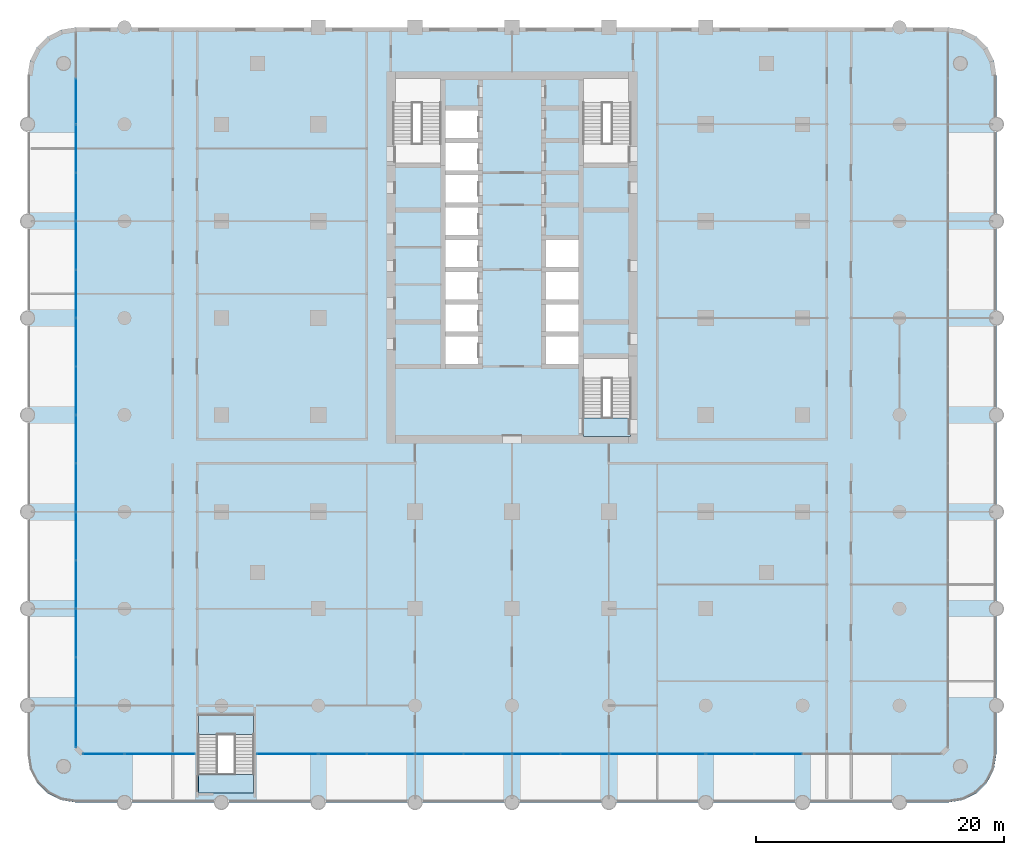
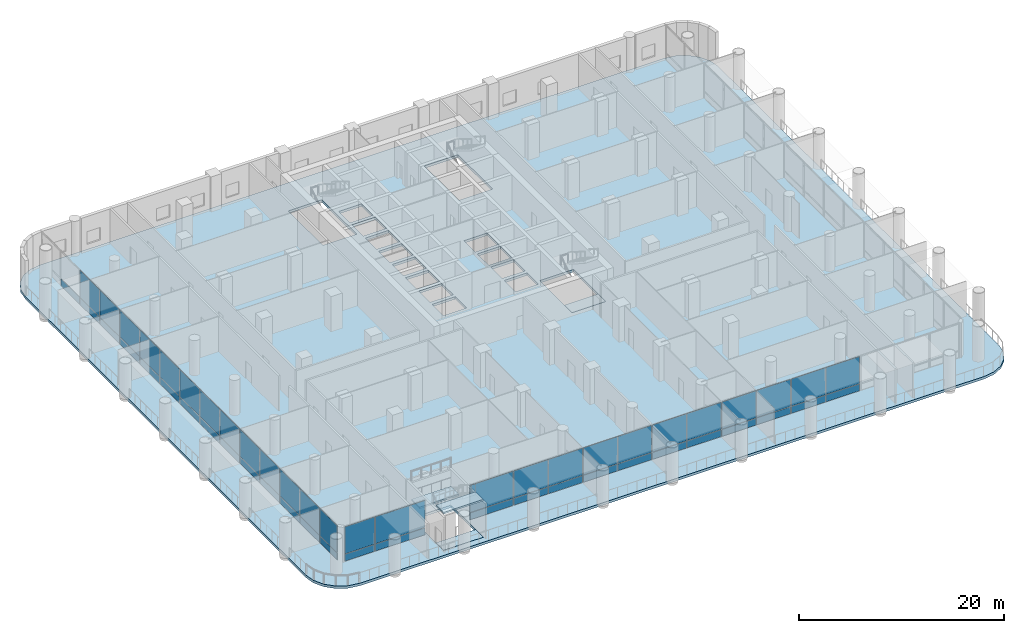
# One storey, part 8 of 24: 53 plates, 5 slabs, 18 elements without a shape of their own.
"""IFC4 building model written with IfcOpenShell, lengths in metres."""

from ifc_helpers import new_model, si_unit, direction, frame, origin, origin_2d, place, context, subcontext, project, spatial, polyline, rectangle, outline, extrude, material, layer, layer_set, type_object, element, aggregate, save


model = new_model("IFC4")

# Units and contexts
model_context = context("Model", 3, precision=1e-05, world=origin(), true_north=direction((0.0, 1.0)))
body_context = subcontext(model_context, "Body", "Model", "MODEL_VIEW")
ifc_project = project(units=[si_unit("LENGTHUNIT", "METRE"), si_unit("AREAUNIT", "SQUARE_METRE"), si_unit("VOLUMEUNIT", "CUBIC_METRE"), si_unit("PLANEANGLEUNIT", "RADIAN"), si_unit("MASSUNIT", "GRAM", prefix="KILO")], contexts=[model_context])

# Site, building, storey
site_placement = place(None, origin())
site = spatial("IfcSite", under=ifc_project, at=site_placement, CompositionType="ELEMENT")
building_placement = place(site_placement, origin())
building = spatial("IfcBuilding", under=site, at=building_placement, Name="Ludao Terraces", CompositionType="ELEMENT")
storey_placement = place(building_placement, frame((0.0, 0.0, 6.0)))
storey = spatial("IfcBuildingStorey", under=building, at=storey_placement, Name="L01", CompositionType="ELEMENT", Elevation=6.0)

# Curtain wall, plates
ifc_material_1 = material(Name="Aluminium curtain wall with fritted glass", Category="aluminium")
curtain_wall_type = type_object("IfcCurtainWallType", Name="ENV CW1 podium glazing", PredefinedType="NOTDEFINED", material=ifc_material_1)
curtain_wall_1_placement = place(storey_placement, origin())
curtain_wall_1 = element("IfcCurtainWall", 1, at=curtain_wall_1_placement, inside=storey, type_object=curtain_wall_type, Name="CW-L01-S1", PredefinedType="NOTDEFINED")
ifc_material_2 = material(Name="Fritted glass panel", Category="glass")
ifc_layer_1 = layer(ifc_material_2, 0.028076171875)
ifc_layer_set_1 = layer_set([ifc_layer_1], Name="ENV CW1 glass panel")
plate_type = type_object("IfcPlateType", Name="ENV CW1 glass panel", PredefinedType="CURTAIN_PANEL", material=ifc_layer_set_1)
plate_1_placement = place(storey_placement, frame((52.10009765625, 29.89990234375, 0.06005859375), z_axis=(0.0, 0.0, 1.0), x_axis=(1.0, 0.0, 0.0)))
plate_1 = element("IfcPlate", 2, at=plate_1_placement, type_object=plate_type, Name="CW1 panel 1.1", PredefinedType="CURTAIN_PANEL", context=body_context, shape_type="SweptSolid", body=[
    extrude(rectangle(XDim=3.280029296875, YDim=0.028076171875, at=origin_2d()), origin(), (0.0, 0.0, 1.0), 0.81005859375),
])
plate_2_placement = place(storey_placement, frame((52.10009765625, 29.89990234375, 0.929931640625), z_axis=(0.0, 0.0, 1.0), x_axis=(1.0, 0.0, 0.0)))
plate_2 = element("IfcPlate", 3, at=plate_2_placement, type_object=plate_type, Name="CW1 panel 1.2", PredefinedType="CURTAIN_PANEL", context=body_context, shape_type="SweptSolid", body=[
    extrude(rectangle(XDim=3.280029296875, YDim=0.028076171875, at=origin_2d()), origin(), (0.0, 0.0, 1.0), 3.2099609375),
])
aggregate(curtain_wall_1, [plate_1, plate_2])

curtain_wall_2_placement = place(storey_placement, origin())
curtain_wall_2 = element("IfcCurtainWall", 4, at=curtain_wall_2_placement, inside=storey, type_object=curtain_wall_type, Name="CW-L01-S2", PredefinedType="NOTDEFINED")
plate_3_placement = place(storey_placement, frame((56.6650390625, 29.89990234375, 0.06005859375), z_axis=(0.0, 0.0, 1.0), x_axis=(1.0, 0.0, 0.0)))
plate_3 = element("IfcPlate", 5, at=plate_3_placement, type_object=plate_type, Name="CW1 panel 1.1", PredefinedType="CURTAIN_PANEL", context=body_context, shape_type="SweptSolid", body=[
    extrude(rectangle(XDim=5.610107421875, YDim=0.028076171875, at=origin_2d()), origin(), (0.0, 0.0, 1.0), 0.81005859375),
])
plate_4_placement = place(storey_placement, frame((56.6650390625, 29.89990234375, 0.929931640625), z_axis=(0.0, 0.0, 1.0), x_axis=(1.0, 0.0, 0.0)))
plate_4 = element("IfcPlate", 6, at=plate_4_placement, type_object=plate_type, Name="CW1 panel 1.2", PredefinedType="CURTAIN_PANEL", context=body_context, shape_type="SweptSolid", body=[
    extrude(rectangle(XDim=5.610107421875, YDim=0.028076171875, at=origin_2d()), origin(), (0.0, 0.0, 1.0), 3.2099609375),
])
aggregate(curtain_wall_2, [plate_3, plate_4])

curtain_wall_3_placement = place(storey_placement, origin())
curtain_wall_3 = element("IfcCurtainWall", 7, at=curtain_wall_3_placement, inside=storey, type_object=curtain_wall_type, Name="CW-L01-S3", PredefinedType="NOTDEFINED")
plate_5_placement = place(storey_placement, frame((66.909912109375, 29.89990234375, 0.06005859375), z_axis=(0.0, 0.0, 1.0), x_axis=(1.0, 0.0, 0.0)))
plate_5 = element("IfcPlate", 8, at=plate_5_placement, type_object=plate_type, Name="CW1 panel 1.1", PredefinedType="CURTAIN_PANEL", context=body_context, shape_type="SweptSolid", body=[
    extrude(rectangle(XDim=4.860107421875, YDim=0.028076171875, at=origin_2d()), origin(), (0.0, 0.0, 1.0), 0.81005859375),
])
plate_6_placement = place(storey_placement, frame((66.909912109375, 29.89990234375, 0.929931640625), z_axis=(0.0, 0.0, 1.0), x_axis=(1.0, 0.0, 0.0)))
plate_6 = element("IfcPlate", 9, at=plate_6_placement, type_object=plate_type, Name="CW1 panel 1.2", PredefinedType="CURTAIN_PANEL", context=body_context, shape_type="SweptSolid", body=[
    extrude(rectangle(XDim=4.860107421875, YDim=0.028076171875, at=origin_2d()), origin(), (0.0, 0.0, 1.0), 3.2099609375),
])
aggregate(curtain_wall_3, [plate_5, plate_6])

curtain_wall_4_placement = place(storey_placement, origin())
curtain_wall_4 = element("IfcCurtainWall", 10, at=curtain_wall_4_placement, inside=storey, type_object=curtain_wall_type, Name="CW-L01-S4", PredefinedType="NOTDEFINED")
plate_7_placement = place(storey_placement, frame((71.364990234375, 29.89990234375, 0.06005859375), z_axis=(0.0, 0.0, 1.0), x_axis=(1.0, 0.0, 0.0)))
plate_7 = element("IfcPlate", 11, at=plate_7_placement, type_object=plate_type, Name="CW1 panel 1.1", PredefinedType="CURTAIN_PANEL", context=body_context, shape_type="SweptSolid", body=[
    extrude(rectangle(XDim=3.81005859375, YDim=0.028076171875, at=origin_2d()), origin(), (0.0, 0.0, 1.0), 0.81005859375),
])
plate_8_placement = place(storey_placement, frame((71.364990234375, 29.89990234375, 0.929931640625), z_axis=(0.0, 0.0, 1.0), x_axis=(1.0, 0.0, 0.0)))
plate_8 = element("IfcPlate", 12, at=plate_8_placement, type_object=plate_type, Name="CW1 panel 1.2", PredefinedType="CURTAIN_PANEL", context=body_context, shape_type="SweptSolid", body=[
    extrude(rectangle(XDim=3.81005859375, YDim=0.028076171875, at=origin_2d()), origin(), (0.0, 0.0, 1.0), 3.2099609375),
])
plate_9_placement = place(storey_placement, frame((75.235107421875, 29.89990234375, 0.06005859375), z_axis=(0.0, 0.0, 1.0), x_axis=(1.0, 0.0, 0.0)))
plate_9 = element("IfcPlate", 13, at=plate_9_placement, type_object=plate_type, Name="CW1 panel 2.1", PredefinedType="CURTAIN_PANEL", context=body_context, shape_type="SweptSolid", body=[
    extrude(rectangle(XDim=3.81005859375, YDim=0.028076171875, at=origin_2d()), origin(), (0.0, 0.0, 1.0), 0.81005859375),
])
plate_10_placement = place(storey_placement, frame((75.235107421875, 29.89990234375, 0.929931640625), z_axis=(0.0, 0.0, 1.0), x_axis=(1.0, 0.0, 0.0)))
plate_10 = element("IfcPlate", 14, at=plate_10_placement, type_object=plate_type, Name="CW1 panel 2.2", PredefinedType="CURTAIN_PANEL", context=body_context, shape_type="SweptSolid", body=[
    extrude(rectangle(XDim=3.81005859375, YDim=0.028076171875, at=origin_2d()), origin(), (0.0, 0.0, 1.0), 3.2099609375),
])
aggregate(curtain_wall_4, [plate_7, plate_8, plate_9, plate_10])

curtain_wall_5_placement = place(storey_placement, origin())
curtain_wall_5 = element("IfcCurtainWall", 15, at=curtain_wall_5_placement, inside=storey, type_object=curtain_wall_type, Name="CW-L01-S5", PredefinedType="NOTDEFINED")
plate_11_placement = place(storey_placement, frame((79.1650390625, 29.89990234375, 0.06005859375), z_axis=(0.0, 0.0, 1.0), x_axis=(1.0, 0.0, 0.0)))
plate_11 = element("IfcPlate", 16, at=plate_11_placement, type_object=plate_type, Name="CW1 panel 1.1", PredefinedType="CURTAIN_PANEL", context=body_context, shape_type="SweptSolid", body=[
    extrude(rectangle(XDim=3.81005859375, YDim=0.028076171875, at=origin_2d()), origin(), (0.0, 0.0, 1.0), 0.81005859375),
])
plate_12_placement = place(storey_placement, frame((79.1650390625, 29.89990234375, 0.929931640625), z_axis=(0.0, 0.0, 1.0), x_axis=(1.0, 0.0, 0.0)))
plate_12 = element("IfcPlate", 17, at=plate_12_placement, type_object=plate_type, Name="CW1 panel 1.2", PredefinedType="CURTAIN_PANEL", context=body_context, shape_type="SweptSolid", body=[
    extrude(rectangle(XDim=3.81005859375, YDim=0.028076171875, at=origin_2d()), origin(), (0.0, 0.0, 1.0), 3.2099609375),
])
plate_13_placement = place(storey_placement, frame((83.034912109375, 29.89990234375, 0.06005859375), z_axis=(0.0, 0.0, 1.0), x_axis=(1.0, 0.0, 0.0)))
plate_13 = element("IfcPlate", 18, at=plate_13_placement, type_object=plate_type, Name="CW1 panel 2.1", PredefinedType="CURTAIN_PANEL", context=body_context, shape_type="SweptSolid", body=[
    extrude(rectangle(XDim=3.81005859375, YDim=0.028076171875, at=origin_2d()), origin(), (0.0, 0.0, 1.0), 0.81005859375),
])
plate_14_placement = place(storey_placement, frame((83.034912109375, 29.89990234375, 0.929931640625), z_axis=(0.0, 0.0, 1.0), x_axis=(1.0, 0.0, 0.0)))
plate_14 = element("IfcPlate", 19, at=plate_14_placement, type_object=plate_type, Name="CW1 panel 2.2", PredefinedType="CURTAIN_PANEL", context=body_context, shape_type="SweptSolid", body=[
    extrude(rectangle(XDim=3.81005859375, YDim=0.028076171875, at=origin_2d()), origin(), (0.0, 0.0, 1.0), 3.2099609375),
])
aggregate(curtain_wall_5, [plate_11, plate_12, plate_13, plate_14])

curtain_wall_6_placement = place(storey_placement, origin())
curtain_wall_6 = element("IfcCurtainWall", 20, at=curtain_wall_6_placement, inside=storey, type_object=curtain_wall_type, Name="CW-L01-S6", PredefinedType="NOTDEFINED")
plate_15_placement = place(storey_placement, frame((86.965087890625, 29.89990234375, 0.06005859375), z_axis=(0.0, 0.0, 1.0), x_axis=(1.0, 0.0, 0.0)))
plate_15 = element("IfcPlate", 21, at=plate_15_placement, type_object=plate_type, Name="CW1 panel 1.1", PredefinedType="CURTAIN_PANEL", context=body_context, shape_type="SweptSolid", body=[
    extrude(rectangle(XDim=3.81005859375, YDim=0.028076171875, at=origin_2d()), origin(), (0.0, 0.0, 1.0), 0.81005859375),
])
plate_16_placement = place(storey_placement, frame((86.965087890625, 29.89990234375, 0.929931640625), z_axis=(0.0, 0.0, 1.0), x_axis=(1.0, 0.0, 0.0)))
plate_16 = element("IfcPlate", 22, at=plate_16_placement, type_object=plate_type, Name="CW1 panel 1.2", PredefinedType="CURTAIN_PANEL", context=body_context, shape_type="SweptSolid", body=[
    extrude(rectangle(XDim=3.81005859375, YDim=0.028076171875, at=origin_2d()), origin(), (0.0, 0.0, 1.0), 3.2099609375),
])
plate_17_placement = place(storey_placement, frame((90.8349609375, 29.89990234375, 0.06005859375), z_axis=(0.0, 0.0, 1.0), x_axis=(1.0, 0.0, 0.0)))
plate_17 = element("IfcPlate", 23, at=plate_17_placement, type_object=plate_type, Name="CW1 panel 2.1", PredefinedType="CURTAIN_PANEL", context=body_context, shape_type="SweptSolid", body=[
    extrude(rectangle(XDim=3.81005859375, YDim=0.028076171875, at=origin_2d()), origin(), (0.0, 0.0, 1.0), 0.81005859375),
])
plate_18_placement = place(storey_placement, frame((90.8349609375, 29.89990234375, 0.929931640625), z_axis=(0.0, 0.0, 1.0), x_axis=(1.0, 0.0, 0.0)))
plate_18 = element("IfcPlate", 24, at=plate_18_placement, type_object=plate_type, Name="CW1 panel 2.2", PredefinedType="CURTAIN_PANEL", context=body_context, shape_type="SweptSolid", body=[
    extrude(rectangle(XDim=3.81005859375, YDim=0.028076171875, at=origin_2d()), origin(), (0.0, 0.0, 1.0), 3.2099609375),
])
aggregate(curtain_wall_6, [plate_15, plate_16, plate_17, plate_18])

curtain_wall_7_placement = place(storey_placement, origin())
curtain_wall_7 = element("IfcCurtainWall", 25, at=curtain_wall_7_placement, inside=storey, type_object=curtain_wall_type, Name="CW-L01-S7", PredefinedType="NOTDEFINED")
plate_19_placement = place(storey_placement, frame((94.764892578125, 29.89990234375, 0.06005859375), z_axis=(0.0, 0.0, 1.0), x_axis=(1.0, 0.0, 0.0)))
plate_19 = element("IfcPlate", 26, at=plate_19_placement, type_object=plate_type, Name="CW1 panel 1.1", PredefinedType="CURTAIN_PANEL", context=body_context, shape_type="SweptSolid", body=[
    extrude(rectangle(XDim=3.81005859375, YDim=0.028076171875, at=origin_2d()), origin(), (0.0, 0.0, 1.0), 0.81005859375),
])
plate_20_placement = place(storey_placement, frame((94.764892578125, 29.89990234375, 0.929931640625), z_axis=(0.0, 0.0, 1.0), x_axis=(1.0, 0.0, 0.0)))
plate_20 = element("IfcPlate", 27, at=plate_20_placement, type_object=plate_type, Name="CW1 panel 1.2", PredefinedType="CURTAIN_PANEL", context=body_context, shape_type="SweptSolid", body=[
    extrude(rectangle(XDim=3.81005859375, YDim=0.028076171875, at=origin_2d()), origin(), (0.0, 0.0, 1.0), 3.2099609375),
])
plate_21_placement = place(storey_placement, frame((98.635009765625, 29.89990234375, 0.06005859375), z_axis=(0.0, 0.0, 1.0), x_axis=(1.0, 0.0, 0.0)))
plate_21 = element("IfcPlate", 28, at=plate_21_placement, type_object=plate_type, Name="CW1 panel 2.1", PredefinedType="CURTAIN_PANEL", context=body_context, shape_type="SweptSolid", body=[
    extrude(rectangle(XDim=3.81005859375, YDim=0.028076171875, at=origin_2d()), origin(), (0.0, 0.0, 1.0), 0.81005859375),
])
plate_22_placement = place(storey_placement, frame((98.635009765625, 29.89990234375, 0.929931640625), z_axis=(0.0, 0.0, 1.0), x_axis=(1.0, 0.0, 0.0)))
plate_22 = element("IfcPlate", 29, at=plate_22_placement, type_object=plate_type, Name="CW1 panel 2.2", PredefinedType="CURTAIN_PANEL", context=body_context, shape_type="SweptSolid", body=[
    extrude(rectangle(XDim=3.81005859375, YDim=0.028076171875, at=origin_2d()), origin(), (0.0, 0.0, 1.0), 3.2099609375),
])
aggregate(curtain_wall_7, [plate_19, plate_20, plate_21, plate_22])

curtain_wall_8_placement = place(storey_placement, origin())
curtain_wall_8 = element("IfcCurtainWall", 30, at=curtain_wall_8_placement, inside=storey, type_object=curtain_wall_type, Name="CW-L01-S8", PredefinedType="NOTDEFINED")
plate_23_placement = place(storey_placement, frame((102.56494140625, 29.89990234375, 0.06005859375), z_axis=(0.0, 0.0, 1.0), x_axis=(1.0, 0.0, 0.0)))
plate_23 = element("IfcPlate", 31, at=plate_23_placement, type_object=plate_type, Name="CW1 panel 1.1", PredefinedType="CURTAIN_PANEL", context=body_context, shape_type="SweptSolid", body=[
    extrude(rectangle(XDim=3.81005859375, YDim=0.028076171875, at=origin_2d()), origin(), (0.0, 0.0, 1.0), 0.81005859375),
])
plate_24_placement = place(storey_placement, frame((102.56494140625, 29.89990234375, 0.929931640625), z_axis=(0.0, 0.0, 1.0), x_axis=(1.0, 0.0, 0.0)))
plate_24 = element("IfcPlate", 32, at=plate_24_placement, type_object=plate_type, Name="CW1 panel 1.2", PredefinedType="CURTAIN_PANEL", context=body_context, shape_type="SweptSolid", body=[
    extrude(rectangle(XDim=3.81005859375, YDim=0.028076171875, at=origin_2d()), origin(), (0.0, 0.0, 1.0), 3.2099609375),
])
plate_25_placement = place(storey_placement, frame((106.43505859375, 29.89990234375, 0.06005859375), z_axis=(0.0, 0.0, 1.0), x_axis=(1.0, 0.0, 0.0)))
plate_25 = element("IfcPlate", 33, at=plate_25_placement, type_object=plate_type, Name="CW1 panel 2.1", PredefinedType="CURTAIN_PANEL", context=body_context, shape_type="SweptSolid", body=[
    extrude(rectangle(XDim=3.81005859375, YDim=0.028076171875, at=origin_2d()), origin(), (0.0, 0.0, 1.0), 0.81005859375),
])
plate_26_placement = place(storey_placement, frame((106.43505859375, 29.89990234375, 0.929931640625), z_axis=(0.0, 0.0, 1.0), x_axis=(1.0, 0.0, 0.0)))
plate_26 = element("IfcPlate", 34, at=plate_26_placement, type_object=plate_type, Name="CW1 panel 2.2", PredefinedType="CURTAIN_PANEL", context=body_context, shape_type="SweptSolid", body=[
    extrude(rectangle(XDim=3.81005859375, YDim=0.028076171875, at=origin_2d()), origin(), (0.0, 0.0, 1.0), 3.2099609375),
])
aggregate(curtain_wall_8, [plate_23, plate_24, plate_25, plate_26])

curtain_wall_9_placement = place(storey_placement, origin())
curtain_wall_9 = element("IfcCurtainWall", 35, at=curtain_wall_9_placement, inside=storey, type_object=curtain_wall_type, Name="CW-L01-W1", PredefinedType="NOTDEFINED")
plate_27_placement = place(storey_placement, frame((49.89990234375, 32.10009765625, 0.06005859375), z_axis=(0.0, 0.0, 1.0), x_axis=(0.0, 1.0, 0.0)))
plate_27 = element("IfcPlate", 36, at=plate_27_placement, type_object=plate_type, Name="CW1 panel 1.1", PredefinedType="CURTAIN_PANEL", context=body_context, shape_type="SweptSolid", body=[
    extrude(rectangle(XDim=3.280029296875, YDim=0.028076171875, at=origin_2d()), origin(), (0.0, 0.0, 1.0), 0.81005859375),
])
plate_28_placement = place(storey_placement, frame((49.89990234375, 32.10009765625, 0.929931640625), z_axis=(0.0, 0.0, 1.0), x_axis=(0.0, 1.0, 0.0)))
plate_28 = element("IfcPlate", 37, at=plate_28_placement, type_object=plate_type, Name="CW1 panel 1.2", PredefinedType="CURTAIN_PANEL", context=body_context, shape_type="SweptSolid", body=[
    extrude(rectangle(XDim=3.280029296875, YDim=0.028076171875, at=origin_2d()), origin(), (0.0, 0.0, 1.0), 3.2099609375),
])
aggregate(curtain_wall_9, [plate_27, plate_28])

curtain_wall_10_placement = place(storey_placement, origin())
curtain_wall_10 = element("IfcCurtainWall", 38, at=curtain_wall_10_placement, inside=storey, type_object=curtain_wall_type, Name="CW-L01-W2", PredefinedType="NOTDEFINED")
plate_29_placement = place(storey_placement, frame((49.89990234375, 35.764892578125, 0.06005859375), z_axis=(0.0, 0.0, 1.0), x_axis=(0.0, 1.0, 0.0)))
plate_29 = element("IfcPlate", 39, at=plate_29_placement, type_object=plate_type, Name="CW1 panel 1.1", PredefinedType="CURTAIN_PANEL", context=body_context, shape_type="SweptSolid", body=[
    extrude(rectangle(XDim=3.81005859375, YDim=0.028076171875, at=origin_2d()), origin(), (0.0, 0.0, 1.0), 0.81005859375),
])
plate_30_placement = place(storey_placement, frame((49.89990234375, 35.764892578125, 0.929931640625), z_axis=(0.0, 0.0, 1.0), x_axis=(0.0, 1.0, 0.0)))
plate_30 = element("IfcPlate", 40, at=plate_30_placement, type_object=plate_type, Name="CW1 panel 1.2", PredefinedType="CURTAIN_PANEL", context=body_context, shape_type="SweptSolid", body=[
    extrude(rectangle(XDim=3.81005859375, YDim=0.028076171875, at=origin_2d()), origin(), (0.0, 0.0, 1.0), 3.2099609375),
])
plate_31_placement = place(storey_placement, frame((49.89990234375, 39.635009765625, 0.06005859375), z_axis=(0.0, 0.0, 1.0), x_axis=(0.0, 1.0, 0.0)))
plate_31 = element("IfcPlate", 41, at=plate_31_placement, type_object=plate_type, Name="CW1 panel 2.1", PredefinedType="CURTAIN_PANEL", context=body_context, shape_type="SweptSolid", body=[
    extrude(rectangle(XDim=3.81005859375, YDim=0.028076171875, at=origin_2d()), origin(), (0.0, 0.0, 1.0), 0.81005859375),
])
plate_32_placement = place(storey_placement, frame((49.89990234375, 39.635009765625, 0.929931640625), z_axis=(0.0, 0.0, 1.0), x_axis=(0.0, 1.0, 0.0)))
plate_32 = element("IfcPlate", 42, at=plate_32_placement, type_object=plate_type, Name="CW1 panel 2.2", PredefinedType="CURTAIN_PANEL", context=body_context, shape_type="SweptSolid", body=[
    extrude(rectangle(XDim=3.81005859375, YDim=0.028076171875, at=origin_2d()), origin(), (0.0, 0.0, 1.0), 3.2099609375),
])
aggregate(curtain_wall_10, [plate_29, plate_30, plate_31, plate_32])

curtain_wall_11_placement = place(storey_placement, origin())
curtain_wall_11 = element("IfcCurtainWall", 43, at=curtain_wall_11_placement, inside=storey, type_object=curtain_wall_type, Name="CW-L01-W3", PredefinedType="NOTDEFINED")
plate_33_placement = place(storey_placement, frame((49.89990234375, 43.56494140625, 0.06005859375), z_axis=(0.0, 0.0, 1.0), x_axis=(0.0, 1.0, 0.0)))
plate_33 = element("IfcPlate", 44, at=plate_33_placement, type_object=plate_type, Name="CW1 panel 1.1", PredefinedType="CURTAIN_PANEL", context=body_context, shape_type="SweptSolid", body=[
    extrude(rectangle(XDim=3.81005859375, YDim=0.028076171875, at=origin_2d()), origin(), (0.0, 0.0, 1.0), 0.81005859375),
])
plate_34_placement = place(storey_placement, frame((49.89990234375, 43.56494140625, 0.929931640625), z_axis=(0.0, 0.0, 1.0), x_axis=(0.0, 1.0, 0.0)))
plate_34 = element("IfcPlate", 45, at=plate_34_placement, type_object=plate_type, Name="CW1 panel 1.2", PredefinedType="CURTAIN_PANEL", context=body_context, shape_type="SweptSolid", body=[
    extrude(rectangle(XDim=3.81005859375, YDim=0.028076171875, at=origin_2d()), origin(), (0.0, 0.0, 1.0), 3.2099609375),
])
plate_35_placement = place(storey_placement, frame((49.89990234375, 47.43505859375, 0.06005859375), z_axis=(0.0, 0.0, 1.0), x_axis=(0.0, 1.0, 0.0)))
plate_35 = element("IfcPlate", 46, at=plate_35_placement, type_object=plate_type, Name="CW1 panel 2.1", PredefinedType="CURTAIN_PANEL", context=body_context, shape_type="SweptSolid", body=[
    extrude(rectangle(XDim=3.81005859375, YDim=0.028076171875, at=origin_2d()), origin(), (0.0, 0.0, 1.0), 0.81005859375),
])
plate_36_placement = place(storey_placement, frame((49.89990234375, 47.43505859375, 0.929931640625), z_axis=(0.0, 0.0, 1.0), x_axis=(0.0, 1.0, 0.0)))
plate_36 = element("IfcPlate", 47, at=plate_36_placement, type_object=plate_type, Name="CW1 panel 2.2", PredefinedType="CURTAIN_PANEL", context=body_context, shape_type="SweptSolid", body=[
    extrude(rectangle(XDim=3.81005859375, YDim=0.028076171875, at=origin_2d()), origin(), (0.0, 0.0, 1.0), 3.2099609375),
])
aggregate(curtain_wall_11, [plate_33, plate_34, plate_35, plate_36])

curtain_wall_12_placement = place(storey_placement, origin())
curtain_wall_12 = element("IfcCurtainWall", 48, at=curtain_wall_12_placement, inside=storey, type_object=curtain_wall_type, Name="CW-L01-W4", PredefinedType="NOTDEFINED")
plate_37_placement = place(storey_placement, frame((49.89990234375, 51.364990234375, 0.06005859375), z_axis=(0.0, 0.0, 1.0), x_axis=(0.0, 1.0, 0.0)))
plate_37 = element("IfcPlate", 49, at=plate_37_placement, type_object=plate_type, Name="CW1 panel 1.1", PredefinedType="CURTAIN_PANEL", context=body_context, shape_type="SweptSolid", body=[
    extrude(rectangle(XDim=3.81005859375, YDim=0.028076171875, at=origin_2d()), origin(), (0.0, 0.0, 1.0), 0.81005859375),
])
plate_38_placement = place(storey_placement, frame((49.89990234375, 51.364990234375, 0.929931640625), z_axis=(0.0, 0.0, 1.0), x_axis=(0.0, 1.0, 0.0)))
plate_38 = element("IfcPlate", 50, at=plate_38_placement, type_object=plate_type, Name="CW1 panel 1.2", PredefinedType="CURTAIN_PANEL", context=body_context, shape_type="SweptSolid", body=[
    extrude(rectangle(XDim=3.81005859375, YDim=0.028076171875, at=origin_2d()), origin(), (0.0, 0.0, 1.0), 3.2099609375),
])
plate_39_placement = place(storey_placement, frame((49.89990234375, 55.235107421875, 0.06005859375), z_axis=(0.0, 0.0, 1.0), x_axis=(0.0, 1.0, 0.0)))
plate_39 = element("IfcPlate", 51, at=plate_39_placement, type_object=plate_type, Name="CW1 panel 2.1", PredefinedType="CURTAIN_PANEL", context=body_context, shape_type="SweptSolid", body=[
    extrude(rectangle(XDim=3.81005859375, YDim=0.028076171875, at=origin_2d()), origin(), (0.0, 0.0, 1.0), 0.81005859375),
])
plate_40_placement = place(storey_placement, frame((49.89990234375, 55.235107421875, 0.929931640625), z_axis=(0.0, 0.0, 1.0), x_axis=(0.0, 1.0, 0.0)))
plate_40 = element("IfcPlate", 52, at=plate_40_placement, type_object=plate_type, Name="CW1 panel 2.2", PredefinedType="CURTAIN_PANEL", context=body_context, shape_type="SweptSolid", body=[
    extrude(rectangle(XDim=3.81005859375, YDim=0.028076171875, at=origin_2d()), origin(), (0.0, 0.0, 1.0), 3.2099609375),
])
aggregate(curtain_wall_12, [plate_37, plate_38, plate_39, plate_40])

curtain_wall_13_placement = place(storey_placement, origin())
curtain_wall_13 = element("IfcCurtainWall", 53, at=curtain_wall_13_placement, inside=storey, type_object=curtain_wall_type, Name="CW-L01-W5", PredefinedType="NOTDEFINED")
plate_41_placement = place(storey_placement, frame((49.89990234375, 59.1650390625, 0.06005859375), z_axis=(0.0, 0.0, 1.0), x_axis=(0.0, 1.0, 0.0)))
plate_41 = element("IfcPlate", 54, at=plate_41_placement, type_object=plate_type, Name="CW1 panel 1.1", PredefinedType="CURTAIN_PANEL", context=body_context, shape_type="SweptSolid", body=[
    extrude(rectangle(XDim=3.81005859375, YDim=0.028076171875, at=origin_2d()), origin(), (0.0, 0.0, 1.0), 0.81005859375),
])
plate_42_placement = place(storey_placement, frame((49.89990234375, 59.1650390625, 0.929931640625), z_axis=(0.0, 0.0, 1.0), x_axis=(0.0, 1.0, 0.0)))
plate_42 = element("IfcPlate", 55, at=plate_42_placement, type_object=plate_type, Name="CW1 panel 1.2", PredefinedType="CURTAIN_PANEL", context=body_context, shape_type="SweptSolid", body=[
    extrude(rectangle(XDim=3.81005859375, YDim=0.028076171875, at=origin_2d()), origin(), (0.0, 0.0, 1.0), 3.2099609375),
])
plate_43_placement = place(storey_placement, frame((49.89990234375, 63.034912109375, 0.06005859375), z_axis=(0.0, 0.0, 1.0), x_axis=(0.0, 1.0, 0.0)))
plate_43 = element("IfcPlate", 56, at=plate_43_placement, type_object=plate_type, Name="CW1 panel 2.1", PredefinedType="CURTAIN_PANEL", context=body_context, shape_type="SweptSolid", body=[
    extrude(rectangle(XDim=3.81005859375, YDim=0.028076171875, at=origin_2d()), origin(), (0.0, 0.0, 1.0), 0.81005859375),
])
plate_44_placement = place(storey_placement, frame((49.89990234375, 63.034912109375, 0.929931640625), z_axis=(0.0, 0.0, 1.0), x_axis=(0.0, 1.0, 0.0)))
plate_44 = element("IfcPlate", 57, at=plate_44_placement, type_object=plate_type, Name="CW1 panel 2.2", PredefinedType="CURTAIN_PANEL", context=body_context, shape_type="SweptSolid", body=[
    extrude(rectangle(XDim=3.81005859375, YDim=0.028076171875, at=origin_2d()), origin(), (0.0, 0.0, 1.0), 3.2099609375),
])
aggregate(curtain_wall_13, [plate_41, plate_42, plate_43, plate_44])

curtain_wall_14_placement = place(storey_placement, origin())
curtain_wall_14 = element("IfcCurtainWall", 58, at=curtain_wall_14_placement, inside=storey, type_object=curtain_wall_type, Name="CW-L01-W6", PredefinedType="NOTDEFINED")
plate_45_placement = place(storey_placement, frame((49.89990234375, 66.965087890625, 0.06005859375), z_axis=(0.0, 0.0, 1.0), x_axis=(0.0, 1.0, 0.0)))
plate_45 = element("IfcPlate", 59, at=plate_45_placement, type_object=plate_type, Name="CW1 panel 1.1", PredefinedType="CURTAIN_PANEL", context=body_context, shape_type="SweptSolid", body=[
    extrude(rectangle(XDim=3.81005859375, YDim=0.028076171875, at=origin_2d()), origin(), (0.0, 0.0, 1.0), 0.81005859375),
])
plate_46_placement = place(storey_placement, frame((49.89990234375, 66.965087890625, 0.929931640625), z_axis=(0.0, 0.0, 1.0), x_axis=(0.0, 1.0, 0.0)))
plate_46 = element("IfcPlate", 60, at=plate_46_placement, type_object=plate_type, Name="CW1 panel 1.2", PredefinedType="CURTAIN_PANEL", context=body_context, shape_type="SweptSolid", body=[
    extrude(rectangle(XDim=3.81005859375, YDim=0.028076171875, at=origin_2d()), origin(), (0.0, 0.0, 1.0), 3.2099609375),
])
plate_47_placement = place(storey_placement, frame((49.89990234375, 70.8349609375, 0.06005859375), z_axis=(0.0, 0.0, 1.0), x_axis=(0.0, 1.0, 0.0)))
plate_47 = element("IfcPlate", 61, at=plate_47_placement, type_object=plate_type, Name="CW1 panel 2.1", PredefinedType="CURTAIN_PANEL", context=body_context, shape_type="SweptSolid", body=[
    extrude(rectangle(XDim=3.81005859375, YDim=0.028076171875, at=origin_2d()), origin(), (0.0, 0.0, 1.0), 0.81005859375),
])
plate_48_placement = place(storey_placement, frame((49.89990234375, 70.8349609375, 0.929931640625), z_axis=(0.0, 0.0, 1.0), x_axis=(0.0, 1.0, 0.0)))
plate_48 = element("IfcPlate", 62, at=plate_48_placement, type_object=plate_type, Name="CW1 panel 2.2", PredefinedType="CURTAIN_PANEL", context=body_context, shape_type="SweptSolid", body=[
    extrude(rectangle(XDim=3.81005859375, YDim=0.028076171875, at=origin_2d()), origin(), (0.0, 0.0, 1.0), 3.2099609375),
])
aggregate(curtain_wall_14, [plate_45, plate_46, plate_47, plate_48])

curtain_wall_15_placement = place(storey_placement, origin())
curtain_wall_15 = element("IfcCurtainWall", 63, at=curtain_wall_15_placement, inside=storey, type_object=curtain_wall_type, Name="CW-L01-W7", PredefinedType="NOTDEFINED")
plate_49_placement = place(storey_placement, frame((49.89990234375, 74.764892578125, 0.06005859375), z_axis=(0.0, 0.0, 1.0), x_axis=(0.0, 1.0, 0.0)))
plate_49 = element("IfcPlate", 64, at=plate_49_placement, type_object=plate_type, Name="CW1 panel 1.1", PredefinedType="CURTAIN_PANEL", context=body_context, shape_type="SweptSolid", body=[
    extrude(rectangle(XDim=3.81005859375, YDim=0.028076171875, at=origin_2d()), origin(), (0.0, 0.0, 1.0), 0.81005859375),
])
plate_50_placement = place(storey_placement, frame((49.89990234375, 74.764892578125, 0.929931640625), z_axis=(0.0, 0.0, 1.0), x_axis=(0.0, 1.0, 0.0)))
plate_50 = element("IfcPlate", 65, at=plate_50_placement, type_object=plate_type, Name="CW1 panel 1.2", PredefinedType="CURTAIN_PANEL", context=body_context, shape_type="SweptSolid", body=[
    extrude(rectangle(XDim=3.81005859375, YDim=0.028076171875, at=origin_2d()), origin(), (0.0, 0.0, 1.0), 3.2099609375),
])
plate_51_placement = place(storey_placement, frame((49.89990234375, 78.635009765625, 0.06005859375), z_axis=(0.0, 0.0, 1.0), x_axis=(0.0, 1.0, 0.0)))
plate_51 = element("IfcPlate", 66, at=plate_51_placement, type_object=plate_type, Name="CW1 panel 2.1", PredefinedType="CURTAIN_PANEL", context=body_context, shape_type="SweptSolid", body=[
    extrude(rectangle(XDim=3.81005859375, YDim=0.028076171875, at=origin_2d()), origin(), (0.0, 0.0, 1.0), 0.81005859375),
])
plate_52_placement = place(storey_placement, frame((49.89990234375, 78.635009765625, 0.929931640625), z_axis=(0.0, 0.0, 1.0), x_axis=(0.0, 1.0, 0.0)))
plate_52 = element("IfcPlate", 67, at=plate_52_placement, type_object=plate_type, Name="CW1 panel 2.2", PredefinedType="CURTAIN_PANEL", context=body_context, shape_type="SweptSolid", body=[
    extrude(rectangle(XDim=3.81005859375, YDim=0.028076171875, at=origin_2d()), origin(), (0.0, 0.0, 1.0), 3.2099609375),
])
aggregate(curtain_wall_15, [plate_49, plate_50, plate_51, plate_52])

# Curtain wall, plate
curtain_wall_16_placement = place(storey_placement, origin())
curtain_wall_16 = element("IfcCurtainWall", 68, at=curtain_wall_16_placement, inside=storey, type_object=curtain_wall_type, Name="CW-L01-W8", PredefinedType="NOTDEFINED")
plate_53_placement = place(storey_placement, frame((49.89990234375, 82.469970703125, 0.06005859375), z_axis=(0.0, 0.0, 1.0), x_axis=(0.0, 1.0, 0.0)))
plate_53 = element("IfcPlate", 69, at=plate_53_placement, type_object=plate_type, Name="CW1 panel 1.1", PredefinedType="CURTAIN_PANEL", context=body_context, shape_type="SweptSolid", body=[
    extrude(rectangle(XDim=3.6201171875, YDim=0.028076171875, at=origin_2d()), origin(), (0.0, 0.0, 1.0), 0.81005859375),
])
aggregate(curtain_wall_16, [plate_53])

# Slab
ifc_material_3 = material(Name="Concrete C40", Category="concrete")
ifc_layer_2 = layer(ifc_material_3, 0.300048828125)
ifc_layer_set_2 = layer_set([ifc_layer_2], Name="Floor slab 300 C40")
slab_type_1 = type_object("IfcSlabType", Name="Floor slab 300 C40", PredefinedType="FLOOR", material=ifc_layer_set_2)
slab_1_placement = place(storey_placement, frame((0.0, 0.0, -0.300048828125)))
element("IfcSlab", 70, at=slab_1_placement, inside=storey, type_object=slab_type_1, Name="Slab L01", PredefinedType="FLOOR", context=body_context, shape_type="SweptSolid", body=[
    extrude(outline(polyline([(120.10009765625, 26.0), (121.30517578125, 26.19091796875), (122.392333984375, 26.744873046875), (123.255126953125, 27.607666015625), (123.80908203125, 28.69482421875), (124.0, 29.89990234375), (124.0, 84.5), (123.80908203125, 85.705078125), (123.255126953125, 86.79248046875), (122.392333984375, 87.6552734375), (121.30517578125, 88.209228515625), (120.10009765625, 88.39990234375), (49.89990234375, 88.39990234375), (48.69482421875, 88.209228515625), (47.607666015625, 87.6552734375), (46.744873046875, 86.79248046875), (46.19091796875, 85.705078125), (46.0, 84.5), (46.0, 29.89990234375), (46.19091796875, 28.69482421875), (46.744873046875, 27.607666015625), (47.607666015625, 26.744873046875), (48.69482421875, 26.19091796875), (49.89990234375, 26.0), (120.10009765625, 26.0)]), holes=[polyline([(79.64990234375, 61.300048828125), (82.25, 61.300048828125), (82.25, 63.5), (79.64990234375, 63.5), (79.64990234375, 61.300048828125)]), polyline([(79.64990234375, 63.89990234375), (82.25, 63.89990234375), (82.25, 66.10009765625), (79.64990234375, 66.10009765625), (79.64990234375, 63.89990234375)]), polyline([(79.64990234375, 66.5), (82.25, 66.5), (82.25, 68.699951171875), (79.64990234375, 68.699951171875), (79.64990234375, 66.5)]), polyline([(79.64990234375, 69.10009765625), (82.25, 69.10009765625), (82.25, 71.300048828125), (79.64990234375, 71.300048828125), (79.64990234375, 69.10009765625)]), polyline([(79.64990234375, 71.699951171875), (82.25, 71.699951171875), (82.25, 73.89990234375), (79.64990234375, 73.89990234375), (79.64990234375, 71.699951171875)]), polyline([(79.64990234375, 74.300048828125), (82.25, 74.300048828125), (82.25, 76.5), (79.64990234375, 76.5), (79.64990234375, 74.300048828125)]), polyline([(79.64990234375, 76.89990234375), (82.25, 76.89990234375), (82.25, 79.10009765625), (79.64990234375, 79.10009765625), (79.64990234375, 76.89990234375)]), polyline([(79.64990234375, 79.5), (82.25, 79.5), (82.25, 81.699951171875), (79.64990234375, 81.699951171875), (79.64990234375, 79.5)]), polyline([(87.75, 61.300048828125), (90.35009765625, 61.300048828125), (90.35009765625, 63.5), (87.75, 63.5), (87.75, 61.300048828125)]), polyline([(87.75, 63.89990234375), (90.35009765625, 63.89990234375), (90.35009765625, 66.10009765625), (87.75, 66.10009765625), (87.75, 63.89990234375)]), polyline([(87.75, 66.5), (90.35009765625, 66.5), (90.35009765625, 68.699951171875), (87.75, 68.699951171875), (87.75, 66.5)]), polyline([(87.75, 69.10009765625), (90.35009765625, 69.10009765625), (90.35009765625, 71.300048828125), (87.75, 71.300048828125), (87.75, 69.10009765625)]), polyline([(75.449951171875, 77.5), (79.25, 77.5), (79.25, 84.239990234375), (75.449951171875, 84.239990234375), (75.449951171875, 77.5)]), polyline([(90.75, 77.5), (94.550048828125, 77.5), (94.550048828125, 84.239990234375), (90.75, 84.239990234375), (90.75, 77.5)]), polyline([(90.75, 55.449951171875), (94.550048828125, 55.449951171875), (94.550048828125, 61.75), (90.75, 61.75), (90.75, 55.449951171875)]), polyline([(59.75, 26.75), (64.199951171875, 26.75), (64.199951171875, 33.050048828125), (59.75, 33.050048828125), (59.75, 26.75)])]), origin(), (0.0, 0.0, 1.0), 0.300048828125),
])

# Stair, slab
stair_type = type_object("IfcStairType", Name="INT Stair", PredefinedType="HALF_TURN_STAIR", material=ifc_material_3)
stair_1_placement = place(storey_placement, origin())
stair_1 = element("IfcStair", 71, at=stair_1_placement, inside=storey, type_object=stair_type, Name="EXIT STAIR 3", PredefinedType="HALF_TURN_STAIR")
ifc_layer_3 = layer(ifc_material_3, 0.199951171875)
ifc_layer_set_3 = layer_set([ifc_layer_3], Name="INT Stair landing 200")
slab_type_2 = type_object("IfcSlabType", Name="INT Stair landing 200", PredefinedType="LANDING", material=ifc_layer_set_3)
slab_2_placement = place(storey_placement, frame((0.0, 0.0, -0.199951171875)))
slab_2 = element("IfcSlab", 72, at=slab_2_placement, type_object=slab_type_2, Name="ST3 landing 2", PredefinedType="LANDING", context=body_context, shape_type="SweptSolid", body=[
    extrude(outline(polyline([(90.75, 55.449951171875), (94.550048828125, 55.449951171875), (94.550048828125, 56.949951171875), (90.75, 56.949951171875), (90.75, 55.449951171875)])), origin(), (0.0, 0.0, 1.0), 0.199951171875),
])
aggregate(stair_1, [slab_2])

# Stair, slabs
stair_2_placement = place(storey_placement, origin())
stair_2 = element("IfcStair", 73, at=stair_2_placement, inside=storey, type_object=stair_type, Name="EXIT STAIR 4", PredefinedType="HALF_TURN_STAIR")
slab_3_placement = place(storey_placement, frame((0.0, 0.0, 2.050048828125)))
slab_3 = element("IfcSlab", 74, at=slab_3_placement, type_object=slab_type_2, Name="ST4 landing 1", PredefinedType="LANDING", context=body_context, shape_type="SweptSolid", body=[
    extrude(outline(polyline([(59.75, 31.489990234375), (64.199951171875, 31.489990234375), (64.199951171875, 33.050048828125), (59.75, 33.050048828125), (59.75, 31.489990234375)])), origin(), (0.0, 0.0, 1.0), 0.199951171875),
])
slab_4_placement = place(storey_placement, frame((0.0, 0.0, -0.199951171875)))
slab_4 = element("IfcSlab", 75, at=slab_4_placement, type_object=slab_type_2, Name="ST4 landing 2", PredefinedType="LANDING", context=body_context, shape_type="SweptSolid", body=[
    extrude(outline(polyline([(59.75, 26.75), (64.199951171875, 26.75), (64.199951171875, 28.25), (59.75, 28.25), (59.75, 26.75)])), origin(), (0.0, 0.0, 1.0), 0.199951171875),
])
slab_5_placement = place(storey_placement, frame((0.0, 0.0, 4.300048828125)))
slab_5 = element("IfcSlab", 76, at=slab_5_placement, type_object=slab_type_2, Name="ST4 landing 3", PredefinedType="LANDING", context=body_context, shape_type="SweptSolid", body=[
    extrude(outline(polyline([(59.75, 26.75), (64.199951171875, 26.75), (64.199951171875, 28.25), (59.75, 28.25), (59.75, 26.75)])), origin(), (0.0, 0.0, 1.0), 0.199951171875),
])
aggregate(stair_2, [slab_3, slab_4, slab_5])

save(model, "model.ifc")
